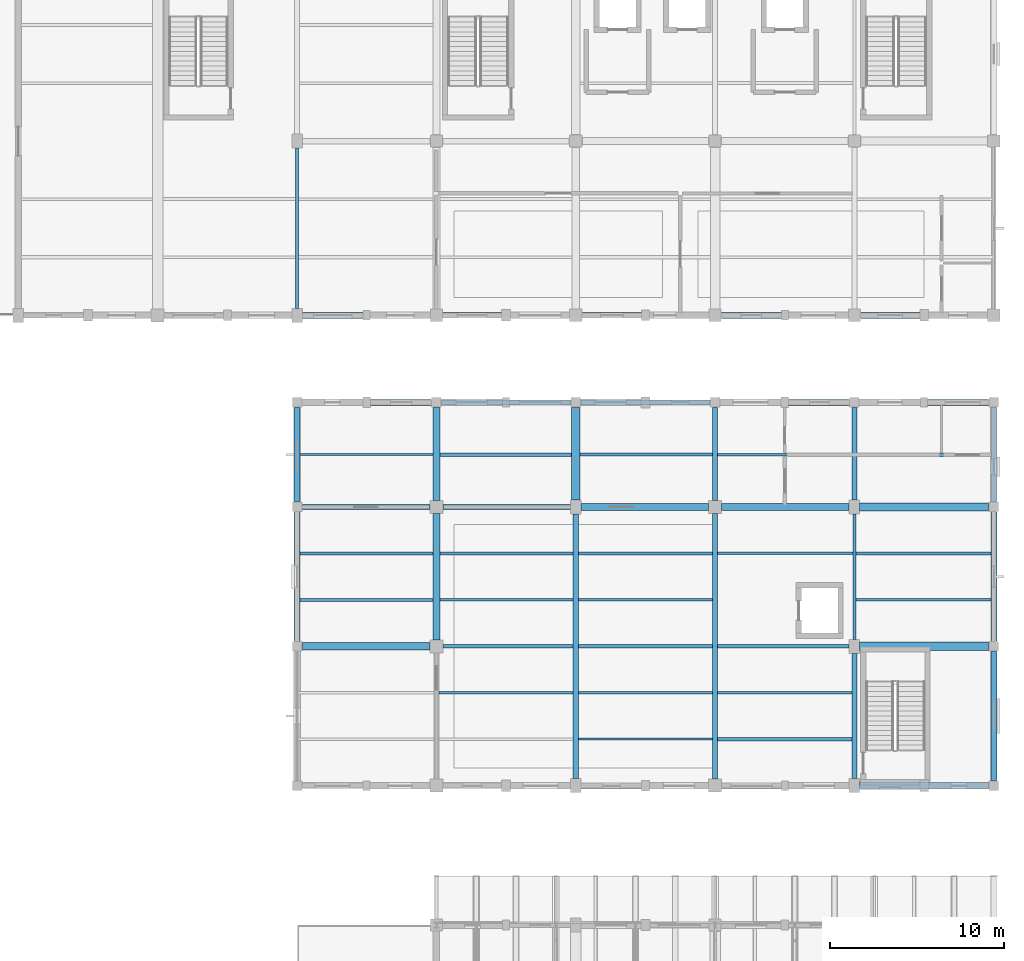
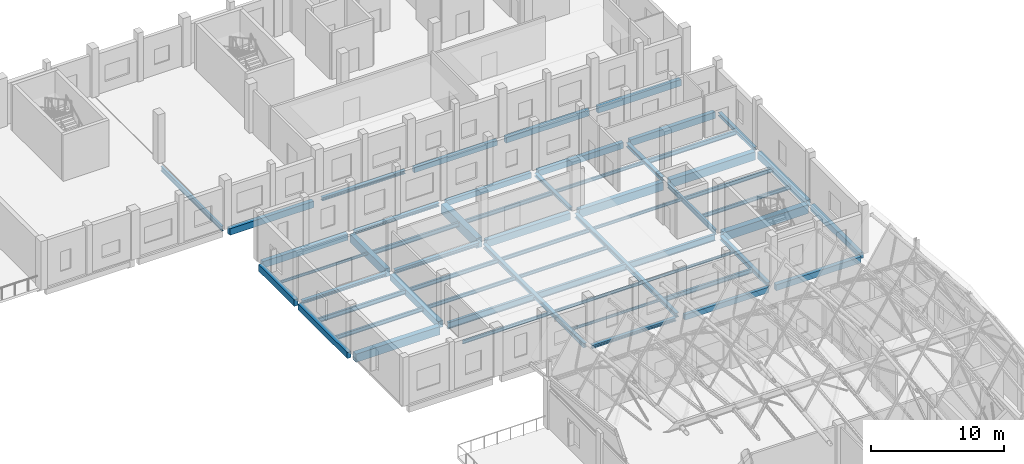
# One storey, part 25 of 77: 55 beams.
"""IFC4 building model written with IfcOpenShell, lengths in metres."""

from ifc_helpers import new_model, si_unit, direction, frame, origin, origin_2d, place, context, subcontext, project, spatial, rectangle, i_section, extrude, material, material_profile, profile_set, type_object, element, save


model = new_model("IFC4")

# Units and contexts
model_context = context("Model", 3, precision=1e-05, world=origin(), true_north=direction((0.0, 1.0)))
body_context = subcontext(model_context, "Body", "Model", "MODEL_VIEW")
ifc_project = project(units=[si_unit("LENGTHUNIT", "METRE"), si_unit("AREAUNIT", "SQUARE_METRE"), si_unit("VOLUMEUNIT", "CUBIC_METRE"), si_unit("PLANEANGLEUNIT", "RADIAN"), si_unit("MASSUNIT", "GRAM", prefix="KILO")], contexts=[model_context])

# Site, building, storey
site_placement = place(None, origin())
site = spatial("IfcSite", under=ifc_project, at=site_placement, CompositionType="ELEMENT")
building_placement = place(site_placement, origin())
building = spatial("IfcBuilding", under=site, at=building_placement, Name="Luwemba Playhouse", CompositionType="ELEMENT")
storey_placement = place(building_placement, frame((0.0, 0.0, 9.300048828125)))
storey = spatial("IfcBuildingStorey", under=building, at=storey_placement, Name="L02", CompositionType="ELEMENT", Elevation=9.300048828125)

# Beams
ifc_material_1 = material(Name="Concrete C40/50", Category="concrete")
ifc_material_profile_1 = material_profile(ifc_material_1, rectangle(XDim=0.39990234375, YDim=0.60009765625, at=origin_2d()))
ifc_profile_set_1 = profile_set([ifc_material_profile_1], Name="Concrete C40/50")
beam_type_1 = type_object("IfcBeamType", Name="BM-RB01", PredefinedType="BEAM", material=ifc_profile_set_1)
beam_1_placement = place(storey_placement, frame((140.0, 76.375, -0.550048828125), z_axis=(0.0, 1.0, 0.0), x_axis=(-1.0, 0.0, 0.0)))
element("IfcBeam", 1, at=beam_1_placement, inside=storey, type_object=beam_type_1, Name="L02 transverse girder 0747", PredefinedType="BEAM", context=body_context, shape_type="SweptSolid", body=[
    extrude(rectangle(XDim=0.39990234375, YDim=0.60009765625, at=origin_2d()), origin(), (0.0, 0.0, 1.0), 7.25),
])
ifc_material_profile_2 = material_profile(ifc_material_1, rectangle(XDim=0.39990234375, YDim=0.64990234375, at=origin_2d()))
ifc_profile_set_2 = profile_set([ifc_material_profile_2], Name="Concrete C40/50")
beam_type_2 = type_object("IfcBeamType", Name="BM-RB02", PredefinedType="BEAM", material=ifc_profile_set_2)
beam_2_placement = place(storey_placement, frame((148.300048828125, 84.0, -0.574951171875), z_axis=(1.0, 0.0, 0.0), x_axis=(0.0, 1.0, 0.0)))
element("IfcBeam", 2, at=beam_2_placement, inside=storey, type_object=beam_type_2, Name="L02 grid girder 0735", PredefinedType="BEAM", context=body_context, shape_type="SweptSolid", body=[
    extrude(rectangle(XDim=0.39990234375, YDim=0.64990234375, at=origin_2d()), origin(), (0.0, 0.0, 1.0), 7.324951171875),
])
ifc_material_profile_3 = material_profile(ifc_material_1, rectangle(XDim=0.39990234375, YDim=0.75, at=origin_2d()))
ifc_profile_set_3 = profile_set([ifc_material_profile_3], Name="Concrete C40/50")
beam_type_3 = type_object("IfcBeamType", Name="BM-RB03", PredefinedType="BEAM", material=ifc_profile_set_3)
beam_3_placement = place(storey_placement, frame((156.375, 84.0, -0.625), z_axis=(1.0, 0.0, 0.0), x_axis=(0.0, 1.0, 0.0)))
element("IfcBeam", 3, at=beam_3_placement, inside=storey, type_object=beam_type_3, Name="L02 grid girder 0736", PredefinedType="BEAM", context=body_context, shape_type="SweptSolid", body=[
    extrude(rectangle(XDim=0.39990234375, YDim=0.75, at=origin_2d()), origin(), (0.0, 0.0, 1.0), 7.324951171875),
])
beam_4_placement = place(storey_placement, frame((140.0, 84.375, -0.625), z_axis=(0.0, 1.0, 0.0), x_axis=(-1.0, 0.0, 0.0)))
element("IfcBeam", 4, at=beam_4_placement, inside=storey, type_object=beam_type_3, Name="L02 transverse girder 0748", PredefinedType="BEAM", context=body_context, shape_type="SweptSolid", body=[
    extrude(rectangle(XDim=0.39990234375, YDim=0.75, at=origin_2d()), origin(), (0.0, 0.0, 1.0), 5.324951171875),
])
ifc_material_profile_4 = material_profile(ifc_material_1, rectangle(XDim=0.449951171875, YDim=0.75, at=origin_2d()))
ifc_profile_set_4 = profile_set([ifc_material_profile_4], Name="Concrete C40/50")
beam_type_4 = type_object("IfcBeamType", Name="BM-RB04", PredefinedType="BEAM", material=ifc_profile_set_4)
beam_5_placement = place(storey_placement, frame((132.300048828125, 76.0, -0.625), z_axis=(1.0, 0.0, 0.0), x_axis=(0.0, 1.0, 0.0)))
element("IfcBeam", 5, at=beam_5_placement, inside=storey, type_object=beam_type_4, Name="L02 grid girder 0730", PredefinedType="BEAM", context=body_context, shape_type="SweptSolid", body=[
    extrude(rectangle(XDim=0.449951171875, YDim=0.75, at=origin_2d()), origin(), (0.0, 0.0, 1.0), 7.324951171875),
])
beam_6_placement = place(storey_placement, frame((164.300048828125, 84.0, -0.625), z_axis=(1.0, 0.0, 0.0), x_axis=(0.0, 1.0, 0.0)))
element("IfcBeam", 6, at=beam_6_placement, inside=storey, type_object=beam_type_4, Name="L02 grid girder 0737", PredefinedType="BEAM", context=body_context, shape_type="SweptSolid", body=[
    extrude(rectangle(XDim=0.449951171875, YDim=0.75, at=origin_2d()), origin(), (0.0, 0.0, 1.0), 7.39990234375),
])
ifc_material_profile_5 = material_profile(ifc_material_1, rectangle(XDim=0.5, YDim=0.800048828125, at=origin_2d()))
ifc_profile_set_5 = profile_set([ifc_material_profile_5], Name="Concrete C40/50")
beam_type_5 = type_object("IfcBeamType", Name="BM-RB06", PredefinedType="BEAM", material=ifc_profile_set_5)
beam_7_placement = place(storey_placement, frame((164.300048828125, 76.0, -0.650146484375), z_axis=(1.0, 0.0, 0.0), x_axis=(0.0, 1.0, 0.0)))
element("IfcBeam", 7, at=beam_7_placement, inside=storey, type_object=beam_type_5, Name="L02 grid girder 0732", PredefinedType="BEAM", context=body_context, shape_type="SweptSolid", body=[
    extrude(rectangle(XDim=0.5, YDim=0.800048828125, at=origin_2d()), origin(), (0.0, 0.0, 1.0), 7.39990234375),
])
ifc_material_profile_6 = material_profile(ifc_material_1, rectangle(XDim=0.5, YDim=0.89990234375, at=origin_2d()))
ifc_profile_set_6 = profile_set([ifc_material_profile_6], Name="Concrete C40/50")
beam_type_6 = type_object("IfcBeamType", Name="BM-RB07", PredefinedType="BEAM", material=ifc_profile_set_6)
beam_8_placement = place(storey_placement, frame((148.0, 84.39990234375, -0.699951171875), z_axis=(0.0, 1.0, 0.0), x_axis=(-1.0, 0.0, 0.0)))
element("IfcBeam", 8, at=beam_8_placement, inside=storey, type_object=beam_type_6, Name="L02 transverse girder 0750", PredefinedType="BEAM", context=body_context, shape_type="SweptSolid", body=[
    extrude(rectangle(XDim=0.5, YDim=0.89990234375, at=origin_2d()), origin(), (0.0, 0.0, 1.0), 5.300048828125),
])
ifc_material_2 = material(Name="Steel S355", Category="steel")
ifc_material_profile_7 = material_profile(ifc_material_2, i_section(OverallWidth=0.280029296875, OverallDepth=0.27001953125, WebThickness=0.008056640625, FlangeThickness=0.012939453125, FilletRadius=0.02392578125, at=origin_2d()))
ifc_profile_set_7 = profile_set([ifc_material_profile_7], Name="Steel S355")
beam_type_7 = type_object("IfcBeamType", Name="BM-SB02", PredefinedType="BEAM", material=ifc_profile_set_7)
beam_9_placement = place(storey_placement, frame((156.0, 84.375, -0.385009765625), z_axis=(0.0, 1.0, 0.0), x_axis=(-1.0, 0.0, 0.0)))
element("IfcBeam", 9, at=beam_9_placement, inside=storey, type_object=beam_type_7, Name="L02 transverse girder 0752", PredefinedType="BEAM", context=body_context, shape_type="SweptSolid", body=[
    extrude(i_section(OverallWidth=0.280029296875, OverallDepth=0.27001953125, WebThickness=0.008056640625, FlangeThickness=0.012939453125, FilletRadius=0.02392578125, at=origin_2d()), origin(), (0.0, 0.0, 1.0), 5.324951171875),
])
ifc_material_profile_8 = material_profile(ifc_material_2, i_section(OverallWidth=0.300048828125, OverallDepth=0.2900390625, WebThickness=0.008544921875, FlangeThickness=0.013916015625, FilletRadius=0.027099609375, at=origin_2d()))
ifc_profile_set_8 = profile_set([ifc_material_profile_8], Name="Steel S355")
beam_type_8 = type_object("IfcBeamType", Name="BM-SB03", PredefinedType="BEAM", material=ifc_profile_set_8)
beam_10_placement = place(storey_placement, frame((132.300048828125, 84.0, -0.39501953125), z_axis=(1.0, 0.0, 0.0), x_axis=(0.0, 1.0, 0.0)))
element("IfcBeam", 10, at=beam_10_placement, inside=storey, type_object=beam_type_8, Name="L02 grid girder 0733", PredefinedType="BEAM", context=body_context, shape_type="SweptSolid", body=[
    extrude(i_section(OverallWidth=0.300048828125, OverallDepth=0.2900390625, WebThickness=0.008544921875, FlangeThickness=0.013916015625, FilletRadius=0.027099609375, at=origin_2d()), origin(), (0.0, 0.0, 1.0), 7.324951171875),
])
ifc_material_profile_9 = material_profile(ifc_material_2, i_section(OverallWidth=0.300048828125, OverallDepth=0.330078125, WebThickness=0.009521484375, FlangeThickness=0.0166015625, FilletRadius=0.027099609375, at=origin_2d()))
ifc_profile_set_9 = profile_set([ifc_material_profile_9], Name="Steel S355")
beam_type_9 = type_object("IfcBeamType", Name="BM-SB04", PredefinedType="BEAM", material=ifc_profile_set_9)
beam_11_placement = place(storey_placement, frame((140.375, 84.0, -0.4150390625), z_axis=(1.0, 0.0, 0.0), x_axis=(0.0, 1.0, 0.0)))
element("IfcBeam", 11, at=beam_11_placement, inside=storey, type_object=beam_type_9, Name="L02 grid girder 0734", PredefinedType="BEAM", context=body_context, shape_type="SweptSolid", body=[
    extrude(i_section(OverallWidth=0.300048828125, OverallDepth=0.330078125, WebThickness=0.009521484375, FlangeThickness=0.0166015625, FilletRadius=0.027099609375, at=origin_2d()), origin(), (0.0, 0.0, 1.0), 7.324951171875),
])
ifc_material_profile_10 = material_profile(ifc_material_2, i_section(OverallWidth=0.300048828125, OverallDepth=0.389892578125, WebThickness=0.010986328125, FlangeThickness=0.01904296875, FilletRadius=0.027099609375, at=origin_2d()))
ifc_profile_set_10 = profile_set([ifc_material_profile_10], Name="Steel S355")
beam_type_10 = type_object("IfcBeamType", Name="BM-SB05", PredefinedType="BEAM", material=ifc_profile_set_10)
beam_12_placement = place(storey_placement, frame((164.0, 68.39990234375, -0.445068359375), z_axis=(0.0, 1.0, 0.0), x_axis=(-1.0, 0.0, 0.0)))
element("IfcBeam", 12, at=beam_12_placement, inside=storey, type_object=beam_type_10, Name="L02 transverse girder 0753", PredefinedType="BEAM", context=body_context, shape_type="SweptSolid", body=[
    extrude(i_section(OverallWidth=0.300048828125, OverallDepth=0.389892578125, WebThickness=0.010986328125, FlangeThickness=0.01904296875, FilletRadius=0.027099609375, at=origin_2d()), origin(), (0.0, 0.0, 1.0), 7.2001953125),
])
ifc_material_profile_11 = material_profile(ifc_material_2, i_section(OverallWidth=0.18994140625, OverallDepth=0.449951171875, WebThickness=0.009521484375, FlangeThickness=0.0146484375, FilletRadius=0.02099609375, at=origin_2d()))
ifc_profile_set_11 = profile_set([ifc_material_profile_11], Name="Steel S355")
beam_type_11 = type_object("IfcBeamType", Name="BM-SB06", PredefinedType="BEAM", material=ifc_profile_set_11)
beam_13_placement = place(storey_placement, frame((164.0, 76.39990234375, -0.47509765625), z_axis=(0.0, 1.0, 0.0), x_axis=(-1.0, 0.0, 0.0)))
element("IfcBeam", 13, at=beam_13_placement, inside=storey, type_object=beam_type_11, Name="L02 transverse girder 0754", PredefinedType="BEAM", context=body_context, shape_type="SweptSolid", body=[
    extrude(i_section(OverallWidth=0.18994140625, OverallDepth=0.449951171875, WebThickness=0.009521484375, FlangeThickness=0.0146484375, FilletRadius=0.02099609375, at=origin_2d()), origin(), (0.0, 0.0, 1.0), 7.2001953125),
])
beam_14_placement = place(storey_placement, frame((132.0, 95.39990234375, -0.47509765625), z_axis=(0.0, 1.0, 0.0), x_axis=(-1.0, 0.0, 0.0)))
element("IfcBeam", 14, at=beam_14_placement, inside=storey, type_object=beam_type_11, Name="L02 transverse girder 0817", PredefinedType="BEAM", context=body_context, shape_type="SweptSolid", body=[
    extrude(i_section(OverallWidth=0.18994140625, OverallDepth=0.449951171875, WebThickness=0.009521484375, FlangeThickness=0.0146484375, FilletRadius=0.02099609375, at=origin_2d()), origin(), (0.0, 0.0, 1.0), 9.2001953125),
])
ifc_material_profile_12 = material_profile(ifc_material_2, i_section(OverallWidth=0.219970703125, OverallDepth=0.60009765625, WebThickness=0.011962890625, FlangeThickness=0.01904296875, FilletRadius=0.02392578125, at=origin_2d()))
ifc_profile_set_12 = profile_set([ifc_material_profile_12], Name="Steel S355")
beam_type_12 = type_object("IfcBeamType", Name="BM-SB08", PredefinedType="BEAM", material=ifc_profile_set_12)
beam_15_placement = place(storey_placement, frame((140.375, 76.0, -0.550048828125), z_axis=(1.0, 0.0, 0.0), x_axis=(0.0, 1.0, 0.0)))
element("IfcBeam", 15, at=beam_15_placement, inside=storey, type_object=beam_type_12, Name="L02 grid girder 0731", PredefinedType="BEAM", context=body_context, shape_type="SweptSolid", body=[
    extrude(i_section(OverallWidth=0.219970703125, OverallDepth=0.60009765625, WebThickness=0.011962890625, FlangeThickness=0.01904296875, FilletRadius=0.02392578125, at=origin_2d()), origin(), (0.0, 0.0, 1.0), 23.324951171875),
])
ifc_material_profile_13 = material_profile(ifc_material_2, i_section(OverallWidth=0.300048828125, OverallDepth=0.360107421875, WebThickness=0.012451171875, FlangeThickness=0.0224609375, FilletRadius=0.027099609375, at=origin_2d()))
ifc_profile_set_13 = profile_set([ifc_material_profile_13], Name="Steel S355")
beam_type_13 = type_object("IfcBeamType", Name="BM-SB09", PredefinedType="BEAM", material=ifc_profile_set_13)
beam_16_placement = place(storey_placement, frame((164.0, 84.39990234375, -0.429931640625), z_axis=(0.0, 1.0, 0.0), x_axis=(-1.0, 0.0, 0.0)))
element("IfcBeam", 16, at=beam_16_placement, inside=storey, type_object=beam_type_13, Name="L02 transverse girder 0755", PredefinedType="BEAM", context=body_context, shape_type="SweptSolid", body=[
    extrude(i_section(OverallWidth=0.300048828125, OverallDepth=0.360107421875, WebThickness=0.012451171875, FlangeThickness=0.0224609375, FilletRadius=0.027099609375, at=origin_2d()), origin(), (0.0, 0.0, 1.0), 5.300048828125),
])
ifc_material_profile_14 = material_profile(ifc_material_2, i_section(OverallWidth=0.300048828125, OverallDepth=0.39990234375, WebThickness=0.013427734375, FlangeThickness=0.02392578125, FilletRadius=0.027099609375, at=origin_2d()))
ifc_profile_set_14 = profile_set([ifc_material_profile_14], Name="Steel S355")
beam_type_14 = type_object("IfcBeamType", Name="BM-SB10", PredefinedType="BEAM", material=ifc_profile_set_14)
beam_17_placement = place(storey_placement, frame((148.0, 68.39990234375, -0.449951171875), z_axis=(0.0, 1.0, 0.0), x_axis=(-1.0, 0.0, 0.0)))
element("IfcBeam", 17, at=beam_17_placement, inside=storey, type_object=beam_type_14, Name="L02 transverse girder 0749", PredefinedType="BEAM", context=body_context, shape_type="SweptSolid", body=[
    extrude(i_section(OverallWidth=0.300048828125, OverallDepth=0.39990234375, WebThickness=0.013427734375, FlangeThickness=0.02392578125, FilletRadius=0.027099609375, at=origin_2d()), origin(), (0.0, 0.0, 1.0), 15.2001953125),
])
beam_18_placement = place(storey_placement, frame((156.0, 68.375, -0.449951171875), z_axis=(0.0, 1.0, 0.0), x_axis=(-1.0, 0.0, 0.0)))
element("IfcBeam", 18, at=beam_18_placement, inside=storey, type_object=beam_type_14, Name="L02 transverse girder 0751", PredefinedType="BEAM", context=body_context, shape_type="SweptSolid", body=[
    extrude(i_section(OverallWidth=0.300048828125, OverallDepth=0.39990234375, WebThickness=0.013427734375, FlangeThickness=0.02392578125, FilletRadius=0.027099609375, at=origin_2d()), origin(), (0.0, 0.0, 1.0), 15.25),
])
ifc_material_profile_15 = material_profile(ifc_material_2, i_section(OverallWidth=0.1201171875, OverallDepth=0.239990234375, WebThickness=0.006103515625, FlangeThickness=0.009765625, FilletRadius=0.014892578125, at=origin_2d()))
ifc_profile_set_15 = profile_set([ifc_material_profile_15], Name="Steel S355")
beam_type_15 = type_object("IfcBeamType", Name="BM-SJ03", PredefinedType="JOIST", material=ifc_profile_set_15)
beam_19_placement = place(storey_placement, frame((132.1708984375, 87.0, -0.3701171875), z_axis=(1.0, 0.0, 0.0), x_axis=(0.0, 1.0, 0.0)))
element("IfcBeam", 19, at=beam_19_placement, inside=storey, type_object=beam_type_15, Name="L02 composite floor joist 0429", PredefinedType="JOIST", context=body_context, shape_type="SweptSolid", body=[
    extrude(i_section(OverallWidth=0.1201171875, OverallDepth=0.239990234375, WebThickness=0.006103515625, FlangeThickness=0.009765625, FilletRadius=0.014892578125, at=origin_2d()), origin(), (0.0, 0.0, 1.0), 7.633056640625),
])
for number, where, z_axis, x_axis, name in (
    (20, (148.14599609375, 70.666748046875, -0.3701171875), (1.0, 0.0, 0.0), (0.0, 1.0, 0.0), "L02 composite floor joist 0435"),
    (21, (156.14599609375, 73.333251953125, -0.3701171875), (1.0, 0.0, 0.0), (0.0, 1.0, 0.0), "L02 composite floor joist 0441"),
):
    element("IfcBeam", number, at=place(storey_placement, frame(where, z_axis=z_axis, x_axis=x_axis)), inside=storey, type_object=beam_type_15, Name=name, PredefinedType="JOIST", context=body_context, shape_type="SweptSolid", body=[
        extrude(i_section(OverallWidth=0.1201171875, OverallDepth=0.239990234375, WebThickness=0.006103515625, FlangeThickness=0.009765625, FilletRadius=0.014892578125, at=origin_2d()), origin(), (0.0, 0.0, 1.0), 7.7080078125),
    ])
ifc_material_profile_16 = material_profile(ifc_material_2, i_section(OverallWidth=0.135009765625, OverallDepth=0.27001953125, WebThickness=0.006591796875, FlangeThickness=0.01025390625, FilletRadius=0.014892578125, at=origin_2d()))
ifc_profile_set_16 = profile_set([ifc_material_profile_16], Name="Steel S355")
beam_type_16 = type_object("IfcBeamType", Name="BM-SJ04", PredefinedType="JOIST", material=ifc_profile_set_16)
beam_20_placement = place(storey_placement, frame((148.14599609375, 73.333251953125, -0.385009765625), z_axis=(1.0, 0.0, 0.0), x_axis=(0.0, 1.0, 0.0)))
element("IfcBeam", 22, at=beam_20_placement, inside=storey, type_object=beam_type_16, Name="L02 composite floor joist 0436", PredefinedType="JOIST", context=body_context, shape_type="SweptSolid", body=[
    extrude(i_section(OverallWidth=0.135009765625, OverallDepth=0.27001953125, WebThickness=0.006591796875, FlangeThickness=0.01025390625, FilletRadius=0.014892578125, at=origin_2d()), origin(), (0.0, 0.0, 1.0), 7.7080078125),
])
beam_21_placement = place(storey_placement, frame((156.14599609375, 81.333251953125, -0.385009765625), z_axis=(1.0, 0.0, 0.0), x_axis=(0.0, 1.0, 0.0)))
element("IfcBeam", 23, at=beam_21_placement, inside=storey, type_object=beam_type_16, Name="L02 composite floor joist 0442", PredefinedType="JOIST", context=body_context, shape_type="SweptSolid", body=[
    extrude(i_section(OverallWidth=0.135009765625, OverallDepth=0.27001953125, WebThickness=0.006591796875, FlangeThickness=0.01025390625, FilletRadius=0.014892578125, at=origin_2d()), origin(), (0.0, 0.0, 1.0), 7.762939453125),
])
ifc_material_profile_17 = material_profile(ifc_material_2, i_section(OverallWidth=0.14990234375, OverallDepth=0.300048828125, WebThickness=0.007080078125, FlangeThickness=0.0107421875, FilletRadius=0.014892578125, at=origin_2d()))
ifc_profile_set_17 = profile_set([ifc_material_profile_17], Name="Steel S355")
beam_type_17 = type_object("IfcBeamType", Name="BM-SJ05", PredefinedType="JOIST", material=ifc_profile_set_17)
for number, where, z_axis, x_axis, name in (
    (24, (140.14599609375, 73.333251953125, -0.400146484375), (1.0, 0.0, 0.0), (0.0, 1.0, 0.0), "L02 composite floor joist 0431"),
    (25, (148.14599609375, 78.666748046875, -0.400146484375), (1.0, 0.0, 0.0), (0.0, 1.0, 0.0), "L02 composite floor joist 0437"),
):
    element("IfcBeam", number, at=place(storey_placement, frame(where, z_axis=z_axis, x_axis=x_axis)), inside=storey, type_object=beam_type_17, Name=name, PredefinedType="JOIST", context=body_context, shape_type="SweptSolid", body=[
        extrude(i_section(OverallWidth=0.14990234375, OverallDepth=0.300048828125, WebThickness=0.007080078125, FlangeThickness=0.0107421875, FilletRadius=0.014892578125, at=origin_2d()), origin(), (0.0, 0.0, 1.0), 7.7080078125),
    ])
beam_22_placement = place(storey_placement, frame((156.135986328125, 87.0, -0.400146484375), z_axis=(1.0, 0.0, 0.0), x_axis=(0.0, 1.0, 0.0)))
element("IfcBeam", 26, at=beam_22_placement, inside=storey, type_object=beam_type_17, Name="L02 composite floor joist 0443", PredefinedType="JOIST", context=body_context, shape_type="SweptSolid", body=[
    extrude(i_section(OverallWidth=0.14990234375, OverallDepth=0.300048828125, WebThickness=0.007080078125, FlangeThickness=0.0107421875, FilletRadius=0.014892578125, at=origin_2d()), origin(), (0.0, 0.0, 1.0), 7.718017578125),
])
ifc_material_profile_18 = material_profile(ifc_material_2, i_section(OverallWidth=0.159912109375, OverallDepth=0.330078125, WebThickness=0.007568359375, FlangeThickness=0.011474609375, FilletRadius=0.01806640625, at=origin_2d()))
ifc_profile_set_18 = profile_set([ifc_material_profile_18], Name="Steel S355")
beam_type_18 = type_object("IfcBeamType", Name="BM-SJ06", PredefinedType="JOIST", material=ifc_profile_set_18)
beam_23_placement = place(storey_placement, frame((140.196044921875, 78.666748046875, -0.4150390625), z_axis=(1.0, 0.0, 0.0), x_axis=(0.0, 1.0, 0.0)))
element("IfcBeam", 27, at=beam_23_placement, inside=storey, type_object=beam_type_18, Name="L02 composite floor joist 0432", PredefinedType="JOIST", context=body_context, shape_type="SweptSolid", body=[
    extrude(i_section(OverallWidth=0.159912109375, OverallDepth=0.330078125, WebThickness=0.007568359375, FlangeThickness=0.011474609375, FilletRadius=0.01806640625, at=origin_2d()), origin(), (0.0, 0.0, 1.0), 7.657958984375),
])
beam_24_placement = place(storey_placement, frame((148.14599609375, 81.333251953125, -0.4150390625), z_axis=(1.0, 0.0, 0.0), x_axis=(0.0, 1.0, 0.0)))
element("IfcBeam", 28, at=beam_24_placement, inside=storey, type_object=beam_type_18, Name="L02 composite floor joist 0438", PredefinedType="JOIST", context=body_context, shape_type="SweptSolid", body=[
    extrude(i_section(OverallWidth=0.159912109375, OverallDepth=0.330078125, WebThickness=0.007568359375, FlangeThickness=0.011474609375, FilletRadius=0.01806640625, at=origin_2d()), origin(), (0.0, 0.0, 1.0), 7.7080078125),
])
beam_25_placement = place(storey_placement, frame((164.091064453125, 78.666748046875, -0.4150390625), z_axis=(1.0, 0.0, 0.0), x_axis=(0.0, 1.0, 0.0)))
element("IfcBeam", 29, at=beam_25_placement, inside=storey, type_object=beam_type_18, Name="L02 composite floor joist 0444", PredefinedType="JOIST", context=body_context, shape_type="SweptSolid", body=[
    extrude(i_section(OverallWidth=0.159912109375, OverallDepth=0.330078125, WebThickness=0.007568359375, FlangeThickness=0.011474609375, FilletRadius=0.01806640625, at=origin_2d()), origin(), (0.0, 0.0, 1.0), 7.738037109375),
])
ifc_material_profile_19 = material_profile(ifc_material_2, i_section(OverallWidth=0.169921875, OverallDepth=0.360107421875, WebThickness=0.008056640625, FlangeThickness=0.0126953125, FilletRadius=0.01806640625, at=origin_2d()))
ifc_profile_set_19 = profile_set([ifc_material_profile_19], Name="Steel S355")
beam_type_19 = type_object("IfcBeamType", Name="BM-SJ07", PredefinedType="JOIST", material=ifc_profile_set_19)
beam_26_placement = place(storey_placement, frame((132.1708984375, 78.666748046875, -0.429931640625), z_axis=(1.0, 0.0, 0.0), x_axis=(0.0, 1.0, 0.0)))
element("IfcBeam", 30, at=beam_26_placement, inside=storey, type_object=beam_type_19, Name="L02 composite floor joist 0427", PredefinedType="JOIST", context=body_context, shape_type="SweptSolid", body=[
    extrude(i_section(OverallWidth=0.169921875, OverallDepth=0.360107421875, WebThickness=0.008056640625, FlangeThickness=0.0126953125, FilletRadius=0.01806640625, at=origin_2d()), origin(), (0.0, 0.0, 1.0), 7.633056640625),
])
beam_27_placement = place(storey_placement, frame((140.196044921875, 81.333251953125, -0.429931640625), z_axis=(1.0, 0.0, 0.0), x_axis=(0.0, 1.0, 0.0)))
element("IfcBeam", 31, at=beam_27_placement, inside=storey, type_object=beam_type_19, Name="L02 composite floor joist 0433", PredefinedType="JOIST", context=body_context, shape_type="SweptSolid", body=[
    extrude(i_section(OverallWidth=0.169921875, OverallDepth=0.360107421875, WebThickness=0.008056640625, FlangeThickness=0.0126953125, FilletRadius=0.01806640625, at=origin_2d()), origin(), (0.0, 0.0, 1.0), 7.657958984375),
])
beam_28_placement = place(storey_placement, frame((148.24609375, 87.0, -0.429931640625), z_axis=(1.0, 0.0, 0.0), x_axis=(0.0, 1.0, 0.0)))
element("IfcBeam", 32, at=beam_28_placement, inside=storey, type_object=beam_type_19, Name="L02 composite floor joist 0439", PredefinedType="JOIST", context=body_context, shape_type="SweptSolid", body=[
    extrude(i_section(OverallWidth=0.169921875, OverallDepth=0.360107421875, WebThickness=0.008056640625, FlangeThickness=0.0126953125, FilletRadius=0.01806640625, at=origin_2d()), origin(), (0.0, 0.0, 1.0), 7.617919921875),
])
beam_29_placement = place(storey_placement, frame((164.091064453125, 81.333251953125, -0.429931640625), z_axis=(1.0, 0.0, 0.0), x_axis=(0.0, 1.0, 0.0)))
element("IfcBeam", 33, at=beam_29_placement, inside=storey, type_object=beam_type_19, Name="L02 composite floor joist 0445", PredefinedType="JOIST", context=body_context, shape_type="SweptSolid", body=[
    extrude(i_section(OverallWidth=0.169921875, OverallDepth=0.360107421875, WebThickness=0.008056640625, FlangeThickness=0.0126953125, FilletRadius=0.01806640625, at=origin_2d()), origin(), (0.0, 0.0, 1.0), 7.738037109375),
])
ifc_material_profile_20 = material_profile(ifc_material_2, i_section(OverallWidth=0.179931640625, OverallDepth=0.39990234375, WebThickness=0.008544921875, FlangeThickness=0.013427734375, FilletRadius=0.02099609375, at=origin_2d()))
ifc_profile_set_20 = profile_set([ifc_material_profile_20], Name="Steel S355")
beam_type_20 = type_object("IfcBeamType", Name="BM-SJ08", PredefinedType="JOIST", material=ifc_profile_set_20)
beam_30_placement = place(storey_placement, frame((132.1708984375, 81.333251953125, -0.449951171875), z_axis=(1.0, 0.0, 0.0), x_axis=(0.0, 1.0, 0.0)))
element("IfcBeam", 34, at=beam_30_placement, inside=storey, type_object=beam_type_20, Name="L02 composite floor joist 0428", PredefinedType="JOIST", context=body_context, shape_type="SweptSolid", body=[
    extrude(i_section(OverallWidth=0.179931640625, OverallDepth=0.39990234375, WebThickness=0.008544921875, FlangeThickness=0.013427734375, FilletRadius=0.02099609375, at=origin_2d()), origin(), (0.0, 0.0, 1.0), 7.633056640625),
])
beam_31_placement = place(storey_placement, frame((140.196044921875, 87.0, -0.449951171875), z_axis=(1.0, 0.0, 0.0), x_axis=(0.0, 1.0, 0.0)))
element("IfcBeam", 35, at=beam_31_placement, inside=storey, type_object=beam_type_20, Name="L02 composite floor joist 0434", PredefinedType="JOIST", context=body_context, shape_type="SweptSolid", body=[
    extrude(i_section(OverallWidth=0.179931640625, OverallDepth=0.39990234375, WebThickness=0.008544921875, FlangeThickness=0.013427734375, FilletRadius=0.02099609375, at=origin_2d()), origin(), (0.0, 0.0, 1.0), 7.557861328125),
])
for number, where, z_axis, x_axis, name in (
    (36, (156.14599609375, 70.666748046875, -0.449951171875), (1.0, 0.0, 0.0), (0.0, 1.0, 0.0), "L02 composite floor joist 0440"),
    (37, (164.14599609375, 87.0, -0.449951171875), (1.0, 0.0, 0.0), (0.0, 1.0, 0.0), "L02 composite floor joist 0446"),
):
    element("IfcBeam", number, at=place(storey_placement, frame(where, z_axis=z_axis, x_axis=x_axis)), inside=storey, type_object=beam_type_20, Name=name, PredefinedType="JOIST", context=body_context, shape_type="SweptSolid", body=[
        extrude(i_section(OverallWidth=0.179931640625, OverallDepth=0.39990234375, WebThickness=0.008544921875, FlangeThickness=0.013427734375, FilletRadius=0.02099609375, at=origin_2d()), origin(), (0.0, 0.0, 1.0), 7.7080078125),
    ])
ifc_material_profile_21 = material_profile(ifc_material_1, rectangle(XDim=0.300048828125, YDim=0.5, at=origin_2d()))
ifc_profile_set_21 = profile_set([ifc_material_profile_21], Name="Concrete C40/50")
beam_type_21 = type_object("IfcBeamType", Name="BM-SP1", PredefinedType="SPANDREL", material=ifc_profile_set_21)
beam_32_placement = place(storey_placement, frame((156.375, 68.0, -0.5), z_axis=(1.0, 0.0, 0.0), x_axis=(0.0, 1.0, 0.0)))
element("IfcBeam", 38, at=beam_32_placement, inside=storey, type_object=beam_type_21, Name="L02 grid girder 0728", PredefinedType="SPANDREL", context=body_context, shape_type="SweptSolid", body=[
    extrude(rectangle(XDim=0.300048828125, YDim=0.5, at=origin_2d()), origin(), (0.0, 0.0, 1.0), 7.324951171875),
])
beam_33_placement = place(storey_placement, frame((148.300048828125, 90.0, -0.5), z_axis=(1.0, 0.0, 0.0), x_axis=(0.0, 1.0, 0.0)))
element("IfcBeam", 39, at=beam_33_placement, inside=storey, type_object=beam_type_21, Name="L02 grid girder 0740", PredefinedType="SPANDREL", context=body_context, shape_type="SweptSolid", body=[
    extrude(rectangle(XDim=0.300048828125, YDim=0.5, at=origin_2d()), origin(), (0.0, 0.0, 1.0), 7.39990234375),
])
beam_34_placement = place(storey_placement, frame((148.375, 95.0, -0.5), z_axis=(1.0, 0.0, 0.0), x_axis=(0.0, 1.0, 0.0)))
element("IfcBeam", 40, at=beam_34_placement, inside=storey, type_object=beam_type_21, Name="L02 grid girder 0800", PredefinedType="SPANDREL", context=body_context, shape_type="SweptSolid", body=[
    extrude(rectangle(XDim=0.300048828125, YDim=0.5, at=origin_2d()), origin(), (0.0, 0.0, 1.0), 7.25),
])
ifc_material_profile_22 = material_profile(ifc_material_1, rectangle(XDim=0.35009765625, YDim=0.550048828125, at=origin_2d()))
ifc_profile_set_22 = profile_set([ifc_material_profile_22], Name="Concrete C40/50")
beam_type_22 = type_object("IfcBeamType", Name="BM-SP2", PredefinedType="SPANDREL", material=ifc_profile_set_22)
for number, where, z_axis, x_axis, name in (
    (41, (164.300048828125, 68.0, -0.525146484375), (1.0, 0.0, 0.0), (0.0, 1.0, 0.0), "L02 grid girder 0729"),
    (42, (156.300048828125, 90.0, -0.525146484375), (1.0, 0.0, 0.0), (0.0, 1.0, 0.0), "L02 grid girder 0741"),
    (43, (132.0, 76.300048828125, -0.525146484375), (0.0, 1.0, 0.0), (-1.0, 0.0, 0.0), "L02 transverse girder 0744"),
    (44, (172.0, 68.300048828125, -0.525146484375), (0.0, 1.0, 0.0), (-1.0, 0.0, 0.0), "L02 transverse girder 0756"),
):
    element("IfcBeam", number, at=place(storey_placement, frame(where, z_axis=z_axis, x_axis=x_axis)), inside=storey, type_object=beam_type_22, Name=name, PredefinedType="SPANDREL", context=body_context, shape_type="SweptSolid", body=[
        extrude(rectangle(XDim=0.35009765625, YDim=0.550048828125, at=origin_2d()), origin(), (0.0, 0.0, 1.0), 7.39990234375),
    ])
beam_35_placement = place(storey_placement, frame((156.375, 95.0, -0.525146484375), z_axis=(1.0, 0.0, 0.0), x_axis=(0.0, 1.0, 0.0)))
element("IfcBeam", 45, at=beam_35_placement, inside=storey, type_object=beam_type_22, Name="L02 grid girder 0801", PredefinedType="SPANDREL", context=body_context, shape_type="SweptSolid", body=[
    extrude(rectangle(XDim=0.35009765625, YDim=0.550048828125, at=origin_2d()), origin(), (0.0, 0.0, 1.0), 7.25),
])
ifc_material_profile_23 = material_profile(ifc_material_1, rectangle(XDim=0.35009765625, YDim=0.60009765625, at=origin_2d()))
ifc_profile_set_23 = profile_set([ifc_material_profile_23], Name="Concrete C40/50")
beam_type_23 = type_object("IfcBeamType", Name="BM-SP3", PredefinedType="SPANDREL", material=ifc_profile_set_23)
for number, where, z_axis, x_axis, name in (
    (46, (132.300048828125, 90.0, -0.550048828125), (1.0, 0.0, 0.0), (0.0, 1.0, 0.0), "L02 grid girder 0738"),
    (47, (164.300048828125, 90.0, -0.550048828125), (1.0, 0.0, 0.0), (0.0, 1.0, 0.0), "L02 grid girder 0742"),
):
    element("IfcBeam", number, at=place(storey_placement, frame(where, z_axis=z_axis, x_axis=x_axis)), inside=storey, type_object=beam_type_23, Name=name, PredefinedType="SPANDREL", context=body_context, shape_type="SweptSolid", body=[
        extrude(rectangle(XDim=0.35009765625, YDim=0.60009765625, at=origin_2d()), origin(), (0.0, 0.0, 1.0), 7.39990234375),
    ])
beam_36_placement = place(storey_placement, frame((132.0, 84.300048828125, -0.550048828125), z_axis=(0.0, 1.0, 0.0), x_axis=(-1.0, 0.0, 0.0)))
element("IfcBeam", 48, at=beam_36_placement, inside=storey, type_object=beam_type_23, Name="L02 transverse girder 0745", PredefinedType="SPANDREL", context=body_context, shape_type="SweptSolid", body=[
    extrude(rectangle(XDim=0.35009765625, YDim=0.60009765625, at=origin_2d()), origin(), (0.0, 0.0, 1.0), 5.39990234375),
])
beam_37_placement = place(storey_placement, frame((172.0, 76.300048828125, -0.550048828125), z_axis=(0.0, 1.0, 0.0), x_axis=(-1.0, 0.0, 0.0)))
element("IfcBeam", 49, at=beam_37_placement, inside=storey, type_object=beam_type_23, Name="L02 transverse girder 0757", PredefinedType="SPANDREL", context=body_context, shape_type="SweptSolid", body=[
    extrude(rectangle(XDim=0.35009765625, YDim=0.60009765625, at=origin_2d()), origin(), (0.0, 0.0, 1.0), 7.39990234375),
])
beam_38_placement = place(storey_placement, frame((132.300048828125, 95.0, -0.550048828125), z_axis=(1.0, 0.0, 0.0), x_axis=(0.0, 1.0, 0.0)))
element("IfcBeam", 50, at=beam_38_placement, inside=storey, type_object=beam_type_23, Name="L02 grid girder 0798", PredefinedType="SPANDREL", context=body_context, shape_type="SweptSolid", body=[
    extrude(rectangle(XDim=0.35009765625, YDim=0.60009765625, at=origin_2d()), origin(), (0.0, 0.0, 1.0), 7.324951171875),
])
beam_39_placement = place(storey_placement, frame((164.375, 95.0, -0.550048828125), z_axis=(1.0, 0.0, 0.0), x_axis=(0.0, 1.0, 0.0)))
element("IfcBeam", 51, at=beam_39_placement, inside=storey, type_object=beam_type_23, Name="L02 grid girder 0802", PredefinedType="SPANDREL", context=body_context, shape_type="SweptSolid", body=[
    extrude(rectangle(XDim=0.35009765625, YDim=0.60009765625, at=origin_2d()), origin(), (0.0, 0.0, 1.0), 7.25),
])
ifc_material_profile_24 = material_profile(ifc_material_2, i_section(OverallWidth=0.300048828125, OverallDepth=0.300048828125, WebThickness=0.010986328125, FlangeThickness=0.01904296875, FilletRadius=0.027099609375, at=origin_2d()))
ifc_profile_set_24 = profile_set([ifc_material_profile_24], Name="Steel S355")
beam_type_24 = type_object("IfcBeamType", Name="BM-SSP1", PredefinedType="SPANDREL", material=ifc_profile_set_24)
beam_40_placement = place(storey_placement, frame((148.300048828125, 68.0, -0.400146484375), z_axis=(1.0, 0.0, 0.0), x_axis=(0.0, 1.0, 0.0)))
element("IfcBeam", 52, at=beam_40_placement, inside=storey, type_object=beam_type_24, Name="L02 grid girder 0727", PredefinedType="SPANDREL", context=body_context, shape_type="SweptSolid", body=[
    extrude(i_section(OverallWidth=0.300048828125, OverallDepth=0.300048828125, WebThickness=0.010986328125, FlangeThickness=0.01904296875, FilletRadius=0.027099609375, at=origin_2d()), origin(), (0.0, 0.0, 1.0), 7.324951171875),
])
beam_41_placement = place(storey_placement, frame((140.300048828125, 90.0, -0.400146484375), z_axis=(1.0, 0.0, 0.0), x_axis=(0.0, 1.0, 0.0)))
element("IfcBeam", 53, at=beam_41_placement, inside=storey, type_object=beam_type_24, Name="L02 grid girder 0739", PredefinedType="SPANDREL", context=body_context, shape_type="SweptSolid", body=[
    extrude(i_section(OverallWidth=0.300048828125, OverallDepth=0.300048828125, WebThickness=0.010986328125, FlangeThickness=0.01904296875, FilletRadius=0.027099609375, at=origin_2d()), origin(), (0.0, 0.0, 1.0), 7.39990234375),
])
beam_42_placement = place(storey_placement, frame((172.0, 84.300048828125, -0.400146484375), z_axis=(0.0, 1.0, 0.0), x_axis=(-1.0, 0.0, 0.0)))
element("IfcBeam", 54, at=beam_42_placement, inside=storey, type_object=beam_type_24, Name="L02 transverse girder 0758", PredefinedType="SPANDREL", context=body_context, shape_type="SweptSolid", body=[
    extrude(i_section(OverallWidth=0.300048828125, OverallDepth=0.300048828125, WebThickness=0.010986328125, FlangeThickness=0.01904296875, FilletRadius=0.027099609375, at=origin_2d()), origin(), (0.0, 0.0, 1.0), 5.39990234375),
])
beam_43_placement = place(storey_placement, frame((140.375, 95.0, -0.400146484375), z_axis=(1.0, 0.0, 0.0), x_axis=(0.0, 1.0, 0.0)))
element("IfcBeam", 55, at=beam_43_placement, inside=storey, type_object=beam_type_24, Name="L02 grid girder 0799", PredefinedType="SPANDREL", context=body_context, shape_type="SweptSolid", body=[
    extrude(i_section(OverallWidth=0.300048828125, OverallDepth=0.300048828125, WebThickness=0.010986328125, FlangeThickness=0.01904296875, FilletRadius=0.027099609375, at=origin_2d()), origin(), (0.0, 0.0, 1.0), 7.25),
])

save(model, "model.ifc")
